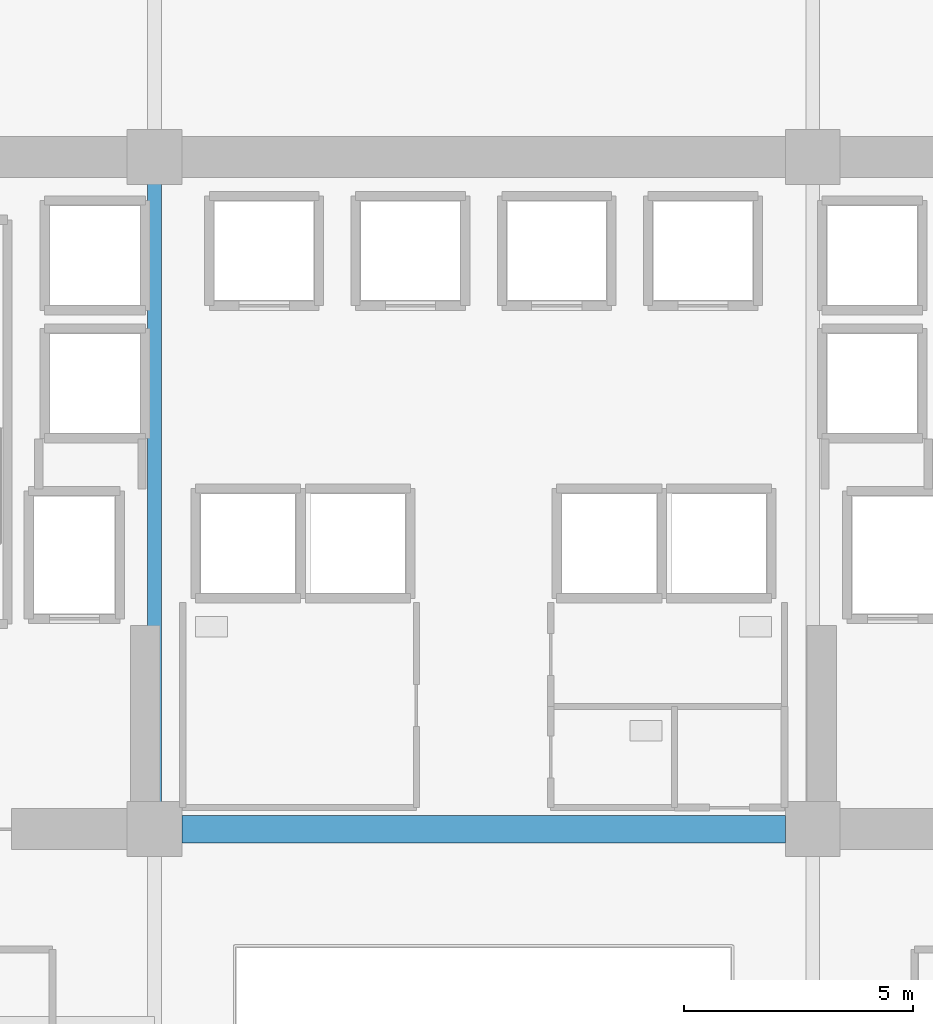
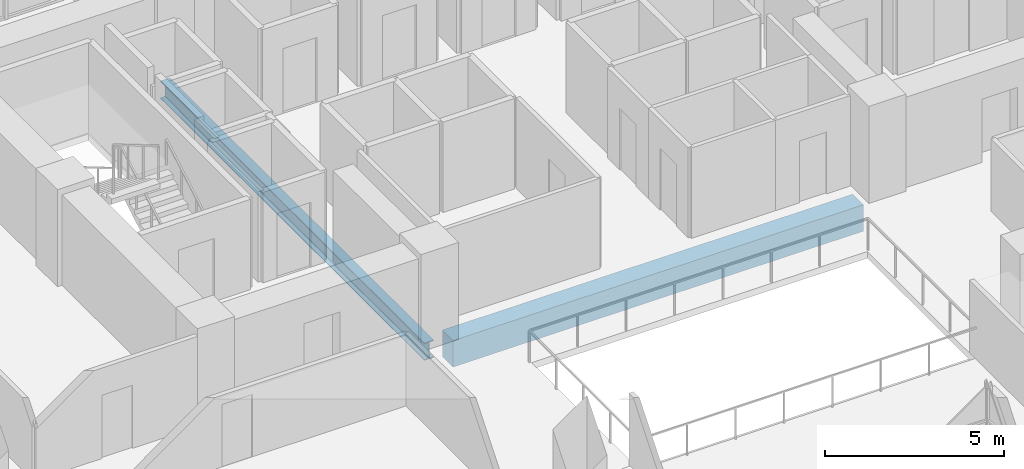
# One storey, part 8 of 32: 2 beams.
"""IFC4 building model written with IfcOpenShell, lengths in metres."""

from ifc_helpers import new_model, si_unit, direction, frame, origin, origin_2d, place, context, subcontext, project, spatial, rectangle, i_section, extrude, material, material_profile, profile_set, type_object, element, save


model = new_model("IFC4")

# Units and contexts
model_context = context("Model", 3, precision=1e-05, world=origin(), true_north=direction((0.0, 1.0)))
body_context = subcontext(model_context, "Body", "Model", "MODEL_VIEW")
ifc_project = project(units=[si_unit("LENGTHUNIT", "METRE"), si_unit("AREAUNIT", "SQUARE_METRE"), si_unit("VOLUMEUNIT", "CUBIC_METRE"), si_unit("PLANEANGLEUNIT", "RADIAN"), si_unit("MASSUNIT", "GRAM", prefix="KILO")], contexts=[model_context])

# Site, building, storey
site_placement = place(None, origin())
site = spatial("IfcSite", under=ifc_project, at=site_placement, CompositionType="ELEMENT")
building_placement = place(site_placement, origin())
building = spatial("IfcBuilding", under=site, at=building_placement, Name="Zarnakvel Exchange Tower", CompositionType="ELEMENT")
storey_placement = place(building_placement, frame((0.0, 0.0, 73.60009765625)))
storey = spatial("IfcBuildingStorey", under=building, at=storey_placement, Name="L20", CompositionType="ELEMENT", Elevation=73.60009765625)

# Beams
ifc_material_1 = material(Name="Concrete C80/95", Category="concrete")
ifc_material_profile_1 = material_profile(ifc_material_1, rectangle(XDim=0.60009765625, YDim=0.89990234375, at=origin_2d()))
ifc_profile_set_1 = profile_set([ifc_material_profile_1], Name="Concrete C80/95")
beam_type_1 = type_object("IfcBeamType", Name="CB-01", PredefinedType="LINTEL", material=ifc_profile_set_1)
beam_1_placement = place(storey_placement, frame((-6.60009765625, -1.199951171875, -0.675048828125), z_axis=(1.0, 0.0, 0.0), x_axis=(0.0, 1.0, 0.0)))
element("IfcBeam", 1, at=beam_1_placement, inside=storey, type_object=beam_type_1, Name="L20 Rear Core South Coupling Beam (CB-01)", PredefinedType="LINTEL", context=body_context, shape_type="SweptSolid", body=[
    extrude(rectangle(XDim=0.60009765625, YDim=0.89990234375, at=origin_2d()), origin(), (0.0, 0.0, 1.0), 13.2001953125),
])
ifc_material_2 = material(Name="Steel S355", Category="steel")
ifc_material_profile_2 = material_profile(ifc_material_2, i_section(OverallWidth=0.300048828125, OverallDepth=0.60009765625, WebThickness=0.015380859375, FlangeThickness=0.030029296875, FilletRadius=0.027099609375, at=origin_2d()))
ifc_profile_set_2 = profile_set([ifc_material_profile_2], Name="Steel S355")
beam_type_2 = type_object("IfcBeamType", Name="G-04", PredefinedType="BEAM", material=ifc_profile_set_2)
beam_2_placement = place(storey_placement, frame((-7.199951171875, -1.199951171875, -0.525146484375), z_axis=(0.0, 1.0, 0.0), x_axis=(-1.0, 0.0, 0.0)))
element("IfcBeam", 2, at=beam_2_placement, inside=storey, type_object=beam_type_2, Name="L20 Tower N-S Frame Beam", PredefinedType="BEAM", context=body_context, shape_type="SweptSolid", body=[
    extrude(i_section(OverallWidth=0.300048828125, OverallDepth=0.60009765625, WebThickness=0.015380859375, FlangeThickness=0.030029296875, FilletRadius=0.027099609375, at=origin_2d()), origin(), (0.0, 0.0, 1.0), 14.699951171875),
])

save(model, "model.ifc")
